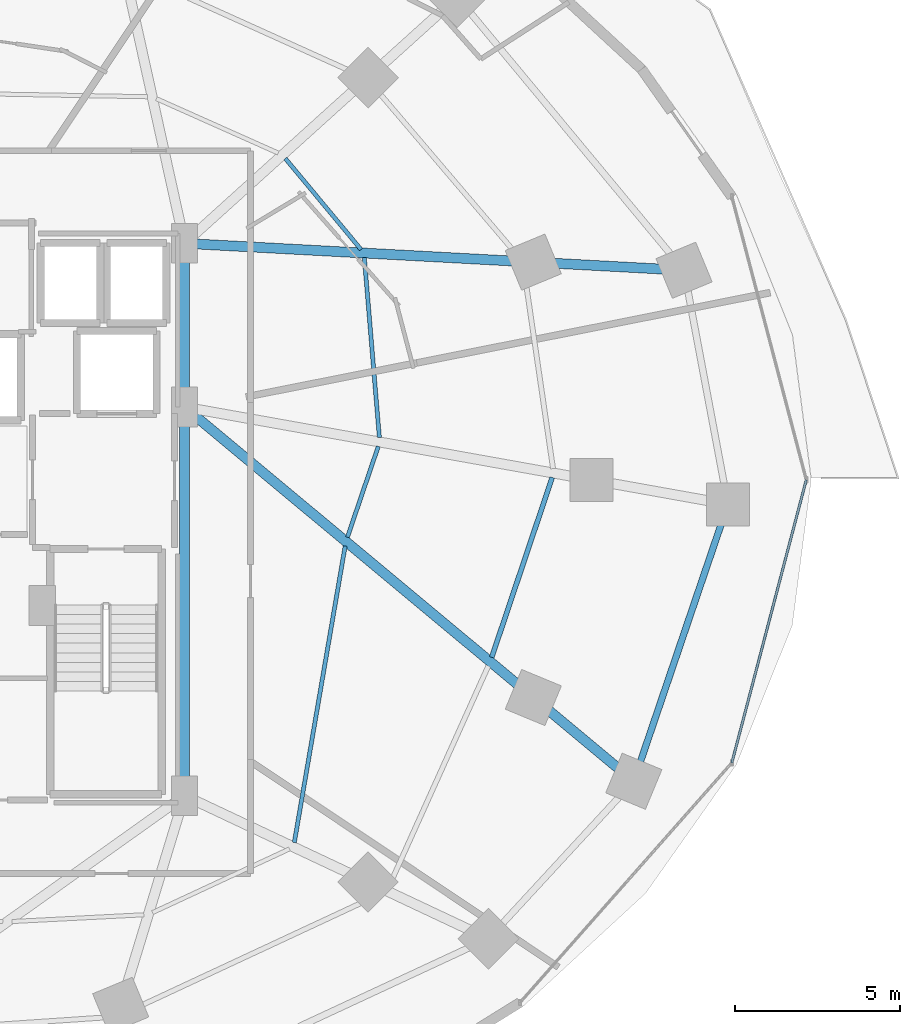
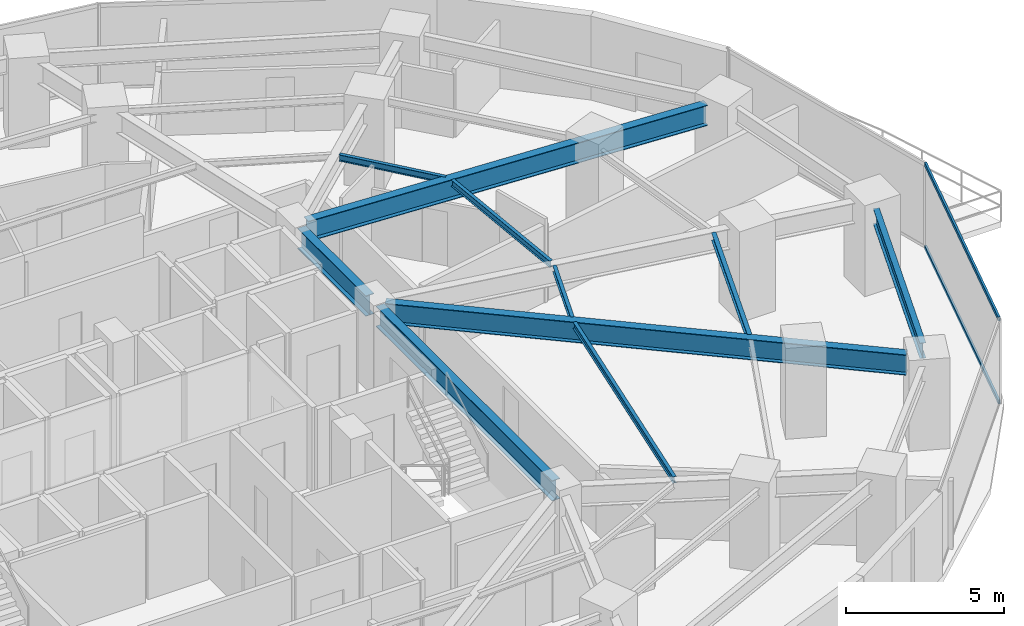
# One storey, part 14 of 33: 10 beams, 2 members, 1 element without a shape of its own.
"""IFC4 building model written with IfcOpenShell, lengths in metres."""

from ifc_helpers import new_model, si_unit, direction, frame, origin, origin_2d, place, context, subcontext, project, spatial, hollow_rectangle, i_section, extrude, material, material_profile, profile_set, type_object, element, aggregate, save


model = new_model("IFC4")

# Units and contexts
model_context = context("Model", 3, precision=1e-05, world=origin(), true_north=direction((0.0, 1.0)))
body_context = subcontext(model_context, "Body", "Model", "MODEL_VIEW")
ifc_project = project(units=[si_unit("LENGTHUNIT", "METRE"), si_unit("AREAUNIT", "SQUARE_METRE"), si_unit("VOLUMEUNIT", "CUBIC_METRE"), si_unit("PLANEANGLEUNIT", "RADIAN"), si_unit("MASSUNIT", "GRAM", prefix="KILO")], contexts=[model_context])

# Site, building, storey
site_placement = place(None, origin())
site = spatial("IfcSite", under=ifc_project, at=site_placement, CompositionType="ELEMENT")
building_placement = place(site_placement, origin())
building = spatial("IfcBuilding", under=site, at=building_placement, Name="Vorneva Point Tower", CompositionType="ELEMENT")
storey_placement = place(building_placement, frame((0.0, 0.0, 34.5)))
storey = spatial("IfcBuildingStorey", under=building, at=storey_placement, Name="L08", CompositionType="ELEMENT", Elevation=34.5)

# Beams
ifc_material_1 = material(Name="Steel S355", Category="steel")
ifc_material_profile_1 = material_profile(ifc_material_1, i_section(OverallWidth=0.300048828125, OverallDepth=0.7880859375, WebThickness=0.014404296875, FlangeThickness=0.02197265625, at=origin_2d()), Name="80Sh1")
ifc_profile_set_1 = profile_set([ifc_material_profile_1], Name="Steel S355")
beam_type_1 = type_object("IfcBeamType", Name="BM-GRD-80Sh1", PredefinedType="USERDEFINED", material=ifc_profile_set_1)
beam_1_placement = place(storey_placement, frame((63.21728515625, 32.37109375, 2.845947265625), z_axis=(-0.998554288689, 0.053752511954, 0.0), x_axis=(-0.053752511954, -0.998554288689, 0.0)))
element("IfcBeam", 1, at=beam_1_placement, inside=storey, type_object=beam_type_1, Name="L08 Radial Primary Girder 02", ObjectType="GIRDER", PredefinedType="USERDEFINED", context=body_context, shape_type="SweptSolid", body=[
    extrude(i_section(OverallWidth=0.300048828125, OverallDepth=0.7880859375, WebThickness=0.014404296875, FlangeThickness=0.02197265625, at=origin_2d()), origin(), (0.0, 0.0, 1.0), 14.148193359375),
])
beam_2_placement = place(storey_placement, frame((61.844482421875, 17.294921875, 2.845947265625), z_axis=(-0.76842374394, 0.639941364306, 0.0), x_axis=(-0.639941364306, -0.76842374394, 0.0)))
element("IfcBeam", 2, at=beam_2_placement, inside=storey, type_object=beam_type_1, Name="L08 Radial Primary Girder 16", ObjectType="GIRDER", PredefinedType="USERDEFINED", context=body_context, shape_type="SweptSolid", body=[
    extrude(i_section(OverallWidth=0.300048828125, OverallDepth=0.7880859375, WebThickness=0.014404296875, FlangeThickness=0.02197265625, at=origin_2d()), origin(), (0.0, 0.0, 1.0), 16.70068359375),
])
beam_3_placement = place(storey_placement, frame((48.75, 16.77001953125, 2.845947265625), z_axis=(0.0, 1.0, 0.0), x_axis=(-1.0, 0.0, 0.0)))
element("IfcBeam", 3, at=beam_3_placement, inside=storey, type_object=beam_type_1, Name="L08 Core Tie Girder CT3", ObjectType="GIRDER", PredefinedType="USERDEFINED", context=body_context, shape_type="SweptSolid", body=[
    extrude(i_section(OverallWidth=0.300048828125, OverallDepth=0.7880859375, WebThickness=0.014404296875, FlangeThickness=0.02197265625, at=origin_2d()), origin(), (0.0, 0.0, 1.0), 11.10986328125),
])
beam_4_placement = place(storey_placement, frame((48.75, 28.52001953125, 2.845947265625), z_axis=(0.0, 1.0, 0.0), x_axis=(-1.0, 0.0, 0.0)))
element("IfcBeam", 4, at=beam_4_placement, inside=storey, type_object=beam_type_1, Name="L08 Core Tie Girder CT4", ObjectType="GIRDER", PredefinedType="USERDEFINED", context=body_context, shape_type="SweptSolid", body=[
    extrude(i_section(OverallWidth=0.300048828125, OverallDepth=0.7880859375, WebThickness=0.014404296875, FlangeThickness=0.02197265625, at=origin_2d()), origin(), (0.0, 0.0, 1.0), 4.31005859375),
])
ifc_material_profile_2 = material_profile(ifc_material_1, i_section(OverallWidth=0.1240234375, OverallDepth=0.248046875, WebThickness=0.0048828125, FlangeThickness=0.008056640625, at=origin_2d()), Name="25B1")
ifc_profile_set_2 = profile_set([ifc_material_profile_2], Name="Steel S355")
beam_type_2 = type_object("IfcBeamType", Name="BM-JST-25B1", PredefinedType="JOIST", material=ifc_profile_set_2)
beam_5_placement = place(storey_placement, frame((54.64208984375, 27.281494140625, 3.115966796875), z_axis=(-0.083382361072, 0.996517627472, 0.0), x_axis=(-0.996517627472, -0.083382361072, 0.0)))
element("IfcBeam", 5, at=beam_5_placement, inside=storey, type_object=beam_type_2, Name="L08 Secondary Floor Beam 2.01", PredefinedType="JOIST", context=body_context, shape_type="SweptSolid", body=[
    extrude(i_section(OverallWidth=0.1240234375, OverallDepth=0.248046875, WebThickness=0.0048828125, FlangeThickness=0.008056640625, at=origin_2d()), origin(), (0.0, 0.0, 1.0), 5.457763671875),
])
beam_6_placement = place(storey_placement, frame((54.08740234375, 32.964111328125, 3.115966796875), z_axis=(-0.639251768182, 0.76899751422, 0.0), x_axis=(-0.76899751422, -0.639251768182, 0.0)))
element("IfcBeam", 6, at=beam_6_placement, inside=storey, type_object=beam_type_2, Name="L08 Secondary Floor Beam 2.02", PredefinedType="JOIST", context=body_context, shape_type="SweptSolid", body=[
    extrude(i_section(OverallWidth=0.1240234375, OverallDepth=0.248046875, WebThickness=0.0048828125, FlangeThickness=0.008056640625, at=origin_2d()), origin(), (0.0, 0.0, 1.0), 3.580810546875),
])
beam_7_placement = place(storey_placement, frame((52.0703125, 15.033935546875, 3.115966796875), z_axis=(0.16904576421, 0.985608202889, 0.0), x_axis=(-0.985608202889, 0.16904576421, 0.0)))
element("IfcBeam", 7, at=beam_7_placement, inside=storey, type_object=beam_type_2, Name="L08 Secondary Floor Beam 2.15", PredefinedType="JOIST", context=body_context, shape_type="SweptSolid", body=[
    extrude(i_section(OverallWidth=0.1240234375, OverallDepth=0.248046875, WebThickness=0.0048828125, FlangeThickness=0.008056640625, at=origin_2d()), origin(), (0.0, 0.0, 1.0), 9.095703125),
])
beam_8_placement = place(storey_placement, frame((53.67578125, 24.265380859375, 3.115966796875), z_axis=(0.321673498542, 0.94685065366, 0.0), x_axis=(-0.94685065366, 0.321673498542, 0.0)))
element("IfcBeam", 8, at=beam_8_placement, inside=storey, type_object=beam_type_2, Name="L08 Secondary Floor Beam 2.16", PredefinedType="JOIST", context=body_context, shape_type="SweptSolid", body=[
    extrude(i_section(OverallWidth=0.1240234375, OverallDepth=0.248046875, WebThickness=0.0048828125, FlangeThickness=0.008056640625, at=origin_2d()), origin(), (0.0, 0.0, 1.0), 2.90234375),
])
ifc_material_profile_3 = material_profile(ifc_material_1, i_section(OverallWidth=0.14892578125, OverallDepth=0.298095703125, WebThickness=0.005615234375, FlangeThickness=0.008056640625, at=origin_2d()), Name="30B1")
ifc_profile_set_3 = profile_set([ifc_material_profile_3], Name="Steel S355")
beam_type_3 = type_object("IfcBeamType", Name="BM-JST-30B1", PredefinedType="JOIST", material=ifc_profile_set_3)
beam_9_placement = place(storey_placement, frame((58.03857421875, 20.6318359375, 3.091064453125), z_axis=(0.318931379391, 0.947777809004, 0.0), x_axis=(-0.947777809004, 0.318931379391, 0.0)))
element("IfcBeam", 9, at=beam_9_placement, inside=storey, type_object=beam_type_3, Name="L08 Secondary Floor Beam 1.16", PredefinedType="JOIST", context=body_context, shape_type="SweptSolid", body=[
    extrude(i_section(OverallWidth=0.14892578125, OverallDepth=0.298095703125, WebThickness=0.005615234375, FlangeThickness=0.008056640625, at=origin_2d()), origin(), (0.0, 0.0, 1.0), 5.740478515625),
])
ifc_material_profile_4 = material_profile(ifc_material_1, i_section(OverallWidth=0.198974609375, OverallDepth=0.595947265625, WebThickness=0.010009765625, FlangeThickness=0.014892578125, at=origin_2d()), Name="60B1")
ifc_profile_set_4 = profile_set([ifc_material_profile_4], Name="Steel S355")
beam_type_4 = type_object("IfcBeamType", Name="BM-SPN-60B1", PredefinedType="SPANDREL", material=ifc_profile_set_4)
beam_10_placement = place(storey_placement, frame((62.539306640625, 17.48779296875, 2.94189453125), z_axis=(0.321907355596, 0.946771173206, 0.0), x_axis=(-0.946771173206, 0.321907355596, 0.0)))
element("IfcBeam", 10, at=beam_10_placement, inside=storey, type_object=beam_type_4, Name="L08 Perimeter Spandrel Ring Beam 16", PredefinedType="SPANDREL", context=body_context, shape_type="SweptSolid", body=[
    extrude(i_section(OverallWidth=0.198974609375, OverallDepth=0.595947265625, WebThickness=0.010009765625, FlangeThickness=0.014892578125, at=origin_2d()), origin(), (0.0, 0.0, 1.0), 7.5751953125),
])

# Curtain wall, members
ifc_material_2 = material(Name="Pale anodised aluminium", Category="aluminium")
curtain_wall_type = type_object("IfcCurtainWallType", Name="CW-HTL-SYS", PredefinedType="NOTDEFINED", material=ifc_material_2)
curtain_wall_placement = place(storey_placement, origin())
curtain_wall = element("IfcCurtainWall", 11, at=curtain_wall_placement, inside=storey, type_object=curtain_wall_type, Name="L08 Unitised Curtain Wall CW-L08-R01", PredefinedType="NOTDEFINED")
ifc_material_profile_5 = material_profile(ifc_material_2, hollow_rectangle(XDim=0.074951171875, YDim=0.14990234375, WallThickness=0.00390625, at=origin_2d()), Name="AL-TRN 150x75x4")
ifc_profile_set_5 = profile_set([ifc_material_profile_5], Name="Pale anodised aluminium")
member_type = type_object("IfcMemberType", Name="CW-TRN-150", PredefinedType="USERDEFINED", material=ifc_profile_set_5)
member_1_placement = place(storey_placement, frame((65.300537109375, 17.447021484375, 0.02001953125), z_axis=(0.254358772746, 0.967109928978, 0.0), x_axis=(-0.967109928978, 0.254358772746, 0.0)))
member_1 = element("IfcMember", 12, at=member_1_placement, type_object=member_type, Name="CW-L08-R01 Transom 02.1", ObjectType="TRANSOM", PredefinedType="USERDEFINED", context=body_context, shape_type="SweptSolid", body=[
    extrude(hollow_rectangle(XDim=0.074951171875, YDim=0.14990234375, WallThickness=0.00390625, at=origin_2d()), origin(), (0.0, 0.0, 1.0), 8.84375),
])
member_2_placement = place(storey_placement, frame((65.300537109375, 17.447021484375, 3.219970703125), z_axis=(0.254358772746, 0.967109928978, 0.0), x_axis=(-0.967109928978, 0.254358772746, 0.0)))
member_2 = element("IfcMember", 13, at=member_2_placement, type_object=member_type, Name="CW-L08-R01 Transom 02.2", ObjectType="TRANSOM", PredefinedType="USERDEFINED", context=body_context, shape_type="SweptSolid", body=[
    extrude(hollow_rectangle(XDim=0.074951171875, YDim=0.14990234375, WallThickness=0.00390625, at=origin_2d()), origin(), (0.0, 0.0, 1.0), 8.84375),
])
aggregate(curtain_wall, [member_1, member_2])

save(model, "model.ifc")
